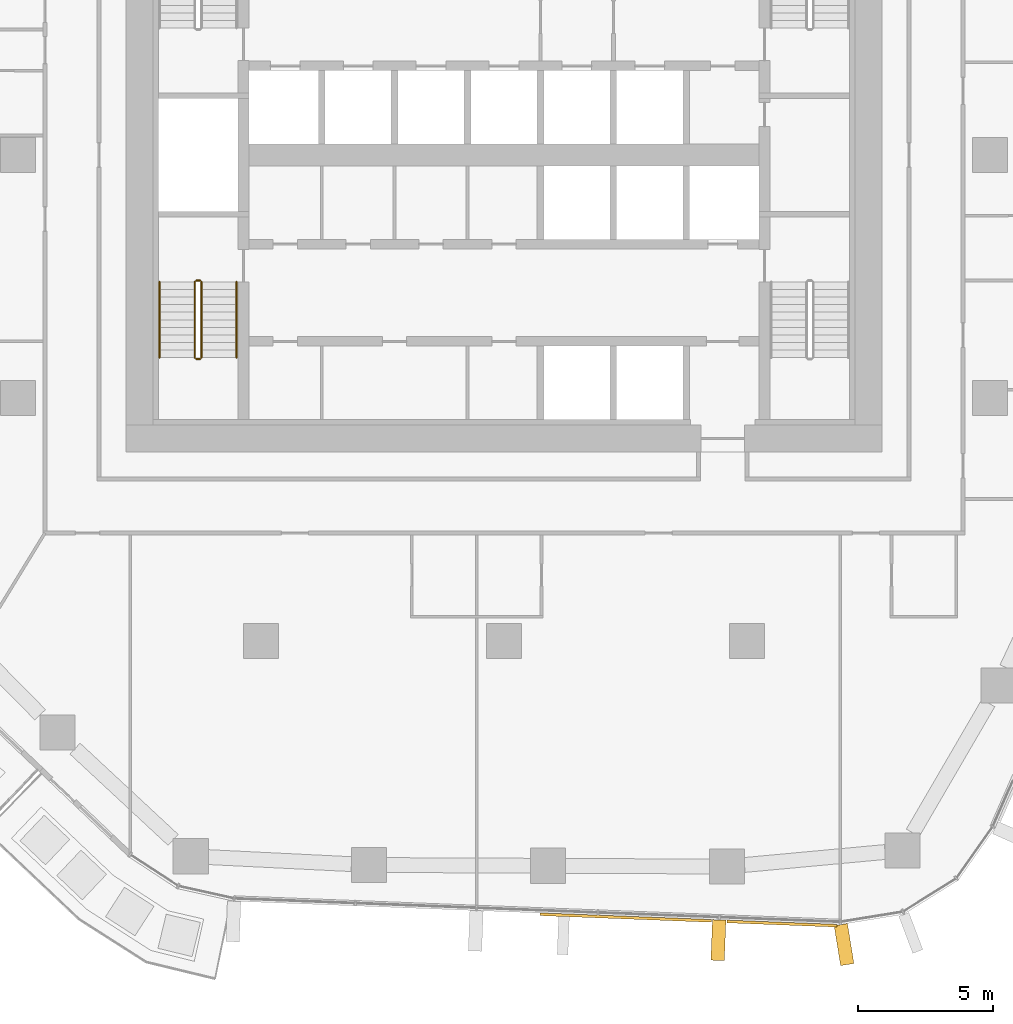
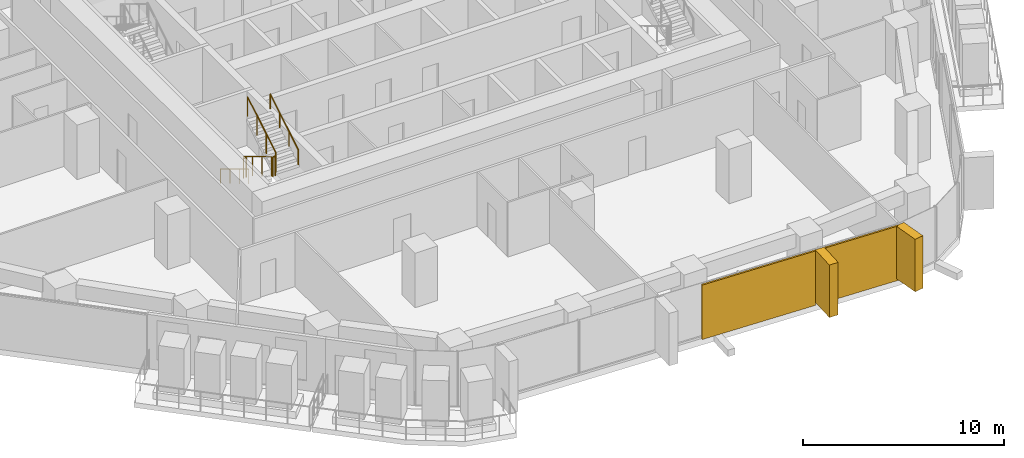
# One storey, part 19 of 23: 6 railings, 4 coverings, 2 elements without a shape of their own.
"""IFC4 building model written with IfcOpenShell, lengths in metres."""

from ifc_helpers import new_model, si_unit, direction, frame, origin, origin_2d, place, context, subcontext, project, spatial, rectangle, circle, extrude, material, layer, layer_set, material_profile, profile_set, type_object, element, aggregate, save


model = new_model("IFC4")

# Units and contexts
model_context = context("Model", 3, precision=1e-05, world=origin(), true_north=direction((0.0, 1.0)))
body_context = subcontext(model_context, "Body", "Model", "MODEL_VIEW")
ifc_project = project(units=[si_unit("LENGTHUNIT", "METRE"), si_unit("AREAUNIT", "SQUARE_METRE"), si_unit("VOLUMEUNIT", "CUBIC_METRE"), si_unit("PLANEANGLEUNIT", "RADIAN"), si_unit("MASSUNIT", "GRAM", prefix="KILO")], contexts=[model_context])

# Site, building, storey
site_placement = place(None, origin())
site = spatial("IfcSite", under=ifc_project, at=site_placement, CompositionType="ELEMENT")
building_placement = place(site_placement, origin())
building = spatial("IfcBuilding", under=site, at=building_placement, Name="Dongbaek Canopy Tower", CompositionType="ELEMENT")
storey_placement = place(building_placement, frame((0.0, 0.0, 135.89990234375)))
storey = spatial("IfcBuildingStorey", under=building, at=storey_placement, Name="L30", CompositionType="ELEMENT", Elevation=135.89990234375)

# Curtain wall, coverings
ifc_material_1 = material(Name="Aluminium 6063-T6 pale anodised", Category="aluminium")
ifc_layer_1 = layer(ifc_material_1, 0.199951171875)
ifc_layer_set_1 = layer_set([ifc_layer_1], Name="CW-1 unitised tower curtain wall")
curtain_wall_type = type_object("IfcCurtainWallType", Name="CW-1 unitised tower curtain wall", PredefinedType="NOTDEFINED", material=ifc_layer_set_1)
curtain_wall_1_placement = place(storey_placement, origin())
curtain_wall_1 = element("IfcCurtainWall", 1, at=curtain_wall_1_placement, inside=storey, type_object=curtain_wall_type, Name="CW-1 curtain wall F4.1", PredefinedType="NOTDEFINED")
ifc_material_2 = material(Name="Perforated aluminium 6063-T6 pale metal screen", Category="aluminium")
ifc_layer_2 = layer(ifc_material_2, 0.10009765625)
ifc_layer_set_2 = layer_set([ifc_layer_2], Name="Facet screen FS1 100 pale metal")
covering_type_1 = type_object("IfcCoveringType", Name="Facet screen FS1 100 pale metal", PredefinedType="CLADDING", material=ifc_layer_set_2)
covering_1_placement = place(storey_placement, frame((4.502685546875, -28.23681640625, 0.0), z_axis=(0.0, 0.0, 1.0), x_axis=(0.999255258703, -0.038586629205, 0.0)))
covering_1 = element("IfcCovering", 2, at=covering_1_placement, type_object=covering_type_1, Name="Facet screen L30 F4", PredefinedType="CLADDING", context=body_context, shape_type="SweptSolid", body=[
    extrude(rectangle(XDim=6.356201171875, YDim=0.10009765625, at=origin_2d()), origin(), (0.0, 0.0, 1.0), 3.300048828125),
])
covering_2_placement = place(storey_placement, frame((10.29345703125, -28.46044921875, 0.0), z_axis=(0.0, 0.0, 1.0), x_axis=(0.999255258703, -0.038586629205, 0.0)))
covering_2 = element("IfcCovering", 3, at=covering_2_placement, type_object=covering_type_1, Name="Facet screen L30 F4", PredefinedType="CLADDING", context=body_context, shape_type="SweptSolid", body=[
    extrude(rectangle(XDim=4.073974609375, YDim=0.10009765625, at=origin_2d()), origin(), (0.0, 0.0, 1.0), 3.300048828125),
])
ifc_material_3 = material(Name="Aluminium 6063-T6 pale metal fin", Category="aluminium")
ifc_material_profile = material_profile(ifc_material_3, rectangle(XDim=1.5, YDim=0.5, at=origin_2d()), Name="Fin FN1 500 x 1500 pale metal")
ifc_profile_set = profile_set([ifc_material_profile], Name="Aluminium 6063-T6 pale metal fin")
covering_type_2 = type_object("IfcCoveringType", Name="Fin FN1 500 x 1500 pale metal", PredefinedType="CLADDING", material=ifc_profile_set)
covering_3_placement = place(storey_placement, frame((7.941162109375, -29.07421875, 0.1201171875), z_axis=(0.0, 0.0, 1.0), x_axis=(-0.038587229989, -0.999255235504, 0.0)))
covering_3 = element("IfcCovering", 4, at=covering_3_placement, type_object=covering_type_2, Name="Fin F4.1.5", PredefinedType="CLADDING", context=body_context, shape_type="SweptSolid", body=[
    extrude(rectangle(XDim=1.5, YDim=0.5, at=origin_2d()), origin(), (0.0, 0.0, 1.0), 3.179931640625),
])
aggregate(curtain_wall_1, [covering_3, covering_1, covering_2])

# Curtain wall, covering
curtain_wall_2_placement = place(storey_placement, origin())
curtain_wall_2 = element("IfcCurtainWall", 5, at=curtain_wall_2_placement, inside=storey, type_object=curtain_wall_type, Name="CW-1 curtain wall K5.1", PredefinedType="NOTDEFINED")
covering_4_placement = place(storey_placement, frame((12.59228515625, -29.237060546875, 0.1201171875), z_axis=(0.0, 0.0, 1.0), x_axis=(0.159963145489, -0.987122987315, 0.0)))
covering_4 = element("IfcCovering", 6, at=covering_4_placement, type_object=covering_type_2, Name="Fin K5.1.1", PredefinedType="CLADDING", context=body_context, shape_type="SweptSolid", body=[
    extrude(rectangle(XDim=1.5, YDim=0.5, at=origin_2d()), origin(), (0.0, 0.0, 1.0), 3.179931640625),
])
aggregate(curtain_wall_2, [covering_4])

# Railings
ifc_material_4 = material(Name="Stainless steel tube and balusters", Category="steel")
railing_type_1 = type_object("IfcRailingType", Name="Stair guard 1200", PredefinedType="GUARDRAIL", material=ifc_material_4)
railing_1_placement = place(storey_placement, frame((-11.449951171875, -4.699951171875, 0.168212890625)))
element("IfcRailing", 7, at=railing_1_placement, inside=storey, type_object=railing_type_1, Name="L30 ST-D stair guard 1", PredefinedType="GUARDRAIL", context=body_context, shape_type="SweptSolid", body=[
    extrude(circle(Radius=0.02392578125, at=origin_2d()), frame((0.0, 0.0, 1.17578125), z_axis=(0.0, -0.857242210791, 0.514913383045), x_axis=(1.0, 0.0, 0.0)), (0.0, 0.0, 1.0), 3.266357421875),
    extrude(circle(Radius=0.02099609375, at=origin_2d()), origin(), (0.0, 0.0, 1.0), 1.15185546875),
    extrude(circle(Radius=0.02099609375, at=origin_2d()), frame((0.0, -0.933349609375, 0.560546875)), (0.0, 0.0, 1.0), 1.15185546875),
    extrude(circle(Radius=0.02099609375, at=origin_2d()), frame((0.0, -1.86669921875, 1.121337890625)), (0.0, 0.0, 1.0), 1.15185546875),
    extrude(circle(Radius=0.02099609375, at=origin_2d()), frame((0.0, -2.800048828125, 1.681884765625)), (0.0, 0.0, 1.0), 1.15185546875),
])
railing_2_placement = place(storey_placement, frame((-11.39990234375, -7.550048828125, 1.85009765625)))
element("IfcRailing", 8, at=railing_2_placement, inside=storey, type_object=railing_type_1, Name="L30 ST-D stair guard 2", PredefinedType="GUARDRAIL", context=body_context, shape_type="SweptSolid", body=[
    extrude(circle(Radius=0.02392578125, at=origin_2d()), frame((0.0, 0.0, 1.17578125), z_axis=(1.0, 0.0, 0.0), x_axis=(0.0, 1.0, 0.0)), (0.0, 0.0, 1.0), 0.14990234375),
    extrude(circle(Radius=0.02099609375, at=origin_2d()), origin(), (0.0, 0.0, 1.0), 1.15185546875),
    extrude(circle(Radius=0.02099609375, at=origin_2d()), frame((0.14990234375, 0.0, 0.0)), (0.0, 0.0, 1.0), 1.15185546875),
])
railing_3_placement = place(storey_placement, frame((-11.199951171875, -7.5, 2.018310546875)))
element("IfcRailing", 9, at=railing_3_placement, inside=storey, type_object=railing_type_1, Name="L30 ST-D stair guard 3", PredefinedType="GUARDRAIL", context=body_context, shape_type="SweptSolid", body=[
    extrude(circle(Radius=0.02392578125, at=origin_2d()), frame((0.0, 0.0, 1.17578125), z_axis=(0.0, 0.857242210791, 0.514913383045), x_axis=(-1.0, 0.0, 0.0)), (0.0, 0.0, 1.0), 3.266357421875),
    extrude(circle(Radius=0.02099609375, at=origin_2d()), origin(), (0.0, 0.0, 1.0), 1.15185546875),
    extrude(circle(Radius=0.02099609375, at=origin_2d()), frame((0.0, 0.933349609375, 0.560546875)), (0.0, 0.0, 1.0), 1.15185546875),
    extrude(circle(Radius=0.02099609375, at=origin_2d()), frame((0.0, 1.86669921875, 1.121337890625)), (0.0, 0.0, 1.0), 1.15185546875),
    extrude(circle(Radius=0.02099609375, at=origin_2d()), frame((0.0, 2.800048828125, 1.681884765625)), (0.0, 0.0, 1.0), 1.15185546875),
])
railing_4_placement = place(storey_placement, frame((-11.39990234375, -4.64990234375, 0.0)))
element("IfcRailing", 10, at=railing_4_placement, inside=storey, type_object=railing_type_1, Name="L30 ST-D stair guard 4", PredefinedType="GUARDRAIL", context=body_context, shape_type="SweptSolid", body=[
    extrude(circle(Radius=0.02392578125, at=origin_2d()), frame((0.0, 0.0, 1.17578125), z_axis=(1.0, 0.0, 0.0), x_axis=(0.0, 1.0, 0.0)), (0.0, 0.0, 1.0), 0.14990234375),
    extrude(circle(Radius=0.02099609375, at=origin_2d()), origin(), (0.0, 0.0, 1.0), 1.15185546875),
    extrude(circle(Radius=0.02099609375, at=origin_2d()), frame((0.14990234375, 0.0, 0.0)), (0.0, 0.0, 1.0), 1.15185546875),
])
ifc_material_5 = material(Name="Stainless steel tube", Category="steel")
railing_type_2 = type_object("IfcRailingType", Name="Stair handrail 900", PredefinedType="HANDRAIL", material=ifc_material_5)
railing_5_placement = place(storey_placement, frame((-12.75, -4.699951171875, 0.168212890625)))
element("IfcRailing", 11, at=railing_5_placement, inside=storey, type_object=railing_type_2, Name="L30 ST-D stair handrail 1", PredefinedType="HANDRAIL", context=body_context, shape_type="SweptSolid", body=[
    extrude(circle(Radius=0.02392578125, at=origin_2d()), frame((0.0, 0.0, 0.8759765625), z_axis=(0.0, -0.857242210791, 0.514913383045), x_axis=(1.0, 0.0, 0.0)), (0.0, 0.0, 1.0), 3.266357421875),
    extrude(circle(Radius=0.02099609375, at=origin_2d()), origin(), (0.0, 0.0, 1.0), 0.851806640625),
    extrude(circle(Radius=0.02099609375, at=origin_2d()), frame((0.0, -0.933349609375, 0.560546875)), (0.0, 0.0, 1.0), 0.851806640625),
    extrude(circle(Radius=0.02099609375, at=origin_2d()), frame((0.0, -1.86669921875, 1.121337890625)), (0.0, 0.0, 1.0), 0.851806640625),
    extrude(circle(Radius=0.02099609375, at=origin_2d()), frame((0.0, -2.800048828125, 1.681884765625)), (0.0, 0.0, 1.0), 0.851806640625),
])
railing_6_placement = place(storey_placement, frame((-9.89990234375, -7.5, 2.018310546875)))
element("IfcRailing", 12, at=railing_6_placement, inside=storey, type_object=railing_type_2, Name="L30 ST-D stair handrail 2", PredefinedType="HANDRAIL", context=body_context, shape_type="SweptSolid", body=[
    extrude(circle(Radius=0.02392578125, at=origin_2d()), frame((0.0, 0.0, 0.8759765625), z_axis=(0.0, 0.857242210791, 0.514913383045), x_axis=(-1.0, 0.0, 0.0)), (0.0, 0.0, 1.0), 3.266357421875),
    extrude(circle(Radius=0.02099609375, at=origin_2d()), origin(), (0.0, 0.0, 1.0), 0.851806640625),
    extrude(circle(Radius=0.02099609375, at=origin_2d()), frame((0.0, 0.933349609375, 0.560546875)), (0.0, 0.0, 1.0), 0.851806640625),
    extrude(circle(Radius=0.02099609375, at=origin_2d()), frame((0.0, 1.86669921875, 1.121337890625)), (0.0, 0.0, 1.0), 0.851806640625),
    extrude(circle(Radius=0.02099609375, at=origin_2d()), frame((0.0, 2.800048828125, 1.681884765625)), (0.0, 0.0, 1.0), 0.851806640625),
])

save(model, "model.ifc")
